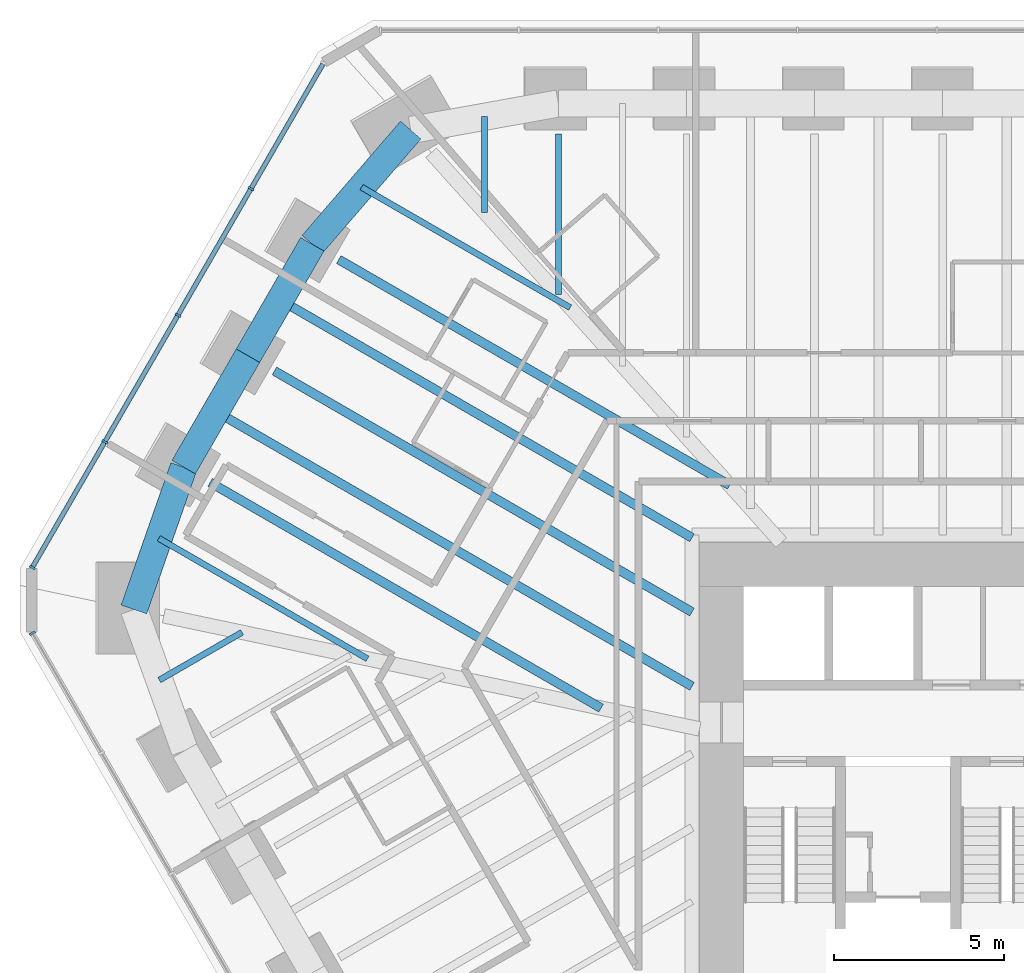
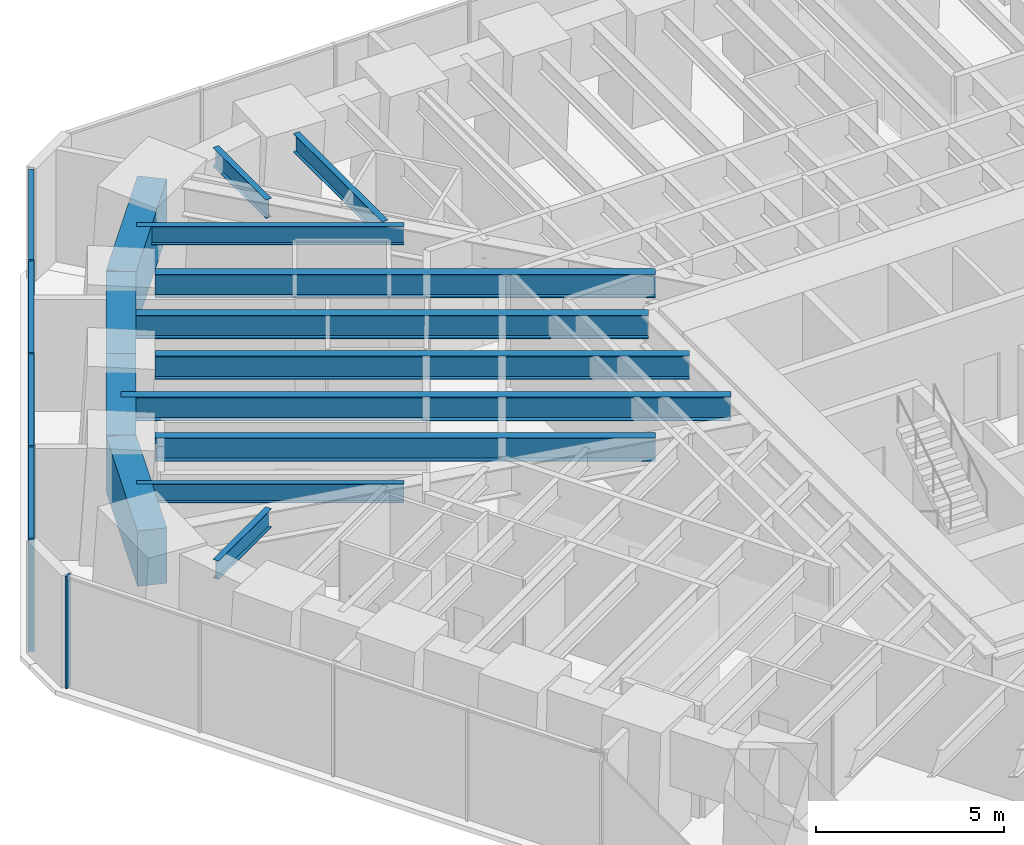
# One storey, part 7 of 17: 14 beams, 9 members, 2 elements without a shape of their own.
"""IFC4 building model written with IfcOpenShell, lengths in metres."""

from ifc_helpers import new_model, si_unit, direction, frame, origin, origin_2d, place, context, subcontext, project, spatial, rectangle, i_section, extrude, material, material_profile, profile_set, type_object, element, aggregate, save


model = new_model("IFC4")

# Units and contexts
model_context = context("Model", 3, precision=1e-05, world=origin(), true_north=direction((0.0, 1.0)))
body_context = subcontext(model_context, "Body", "Model", "MODEL_VIEW")
ifc_project = project(units=[si_unit("LENGTHUNIT", "METRE"), si_unit("AREAUNIT", "SQUARE_METRE"), si_unit("VOLUMEUNIT", "CUBIC_METRE"), si_unit("PLANEANGLEUNIT", "RADIAN"), si_unit("MASSUNIT", "GRAM", prefix="KILO")], contexts=[model_context])

# Site, building, storey
site_placement = place(None, origin())
site = spatial("IfcSite", under=ifc_project, at=site_placement, CompositionType="ELEMENT")
building_placement = place(site_placement, origin())
building = spatial("IfcBuilding", under=site, at=building_placement, Name="Sandreach Pilgrim Tower", CompositionType="ELEMENT")
storey_placement = place(building_placement, frame((0.0, 0.0, 165.199951171875)))
storey = spatial("IfcBuildingStorey", under=building, at=storey_placement, Name="L41", CompositionType="ELEMENT", Elevation=165.199951171875)

# Curtain wall, member
ifc_material_1 = material(Name="Aluminium framed curtain wall", Category="aluminium")
curtain_wall_type = type_object("IfcCurtainWallType", Name="Hotel tower curtain wall", PredefinedType="NOTDEFINED", material=ifc_material_1)
curtain_wall_1_placement = place(storey_placement, origin())
curtain_wall_1 = element("IfcCurtainWall", 1, at=curtain_wall_1_placement, inside=storey, type_object=curtain_wall_type, Name="CW-2 L41 SW", PredefinedType="NOTDEFINED")
ifc_material_2 = material(Name="Aluminium extrusion", Category="aluminium")
ifc_material_profile_1 = material_profile(ifc_material_2, rectangle(XDim=0.06494140625, YDim=0.179931640625, at=origin_2d()), Name="CW-2M 65X180")
ifc_profile_set_1 = profile_set([ifc_material_profile_1], Name="Aluminium extrusion")
member_type_1 = type_object("IfcMemberType", Name="CW-2 mullion", PredefinedType="MULLION", material=ifc_profile_set_1)
member_1_placement = place(storey_placement, frame((-28.70458984375, 4.730224609375, 0.0), z_axis=(0.0, 0.0, 1.0), x_axis=(-0.5, 0.866025403784, 0.0)))
member_1 = element("IfcMember", 2, at=member_1_placement, type_object=member_type_1, Name="CW-2 mullion 10", PredefinedType="MULLION", context=body_context, shape_type="SweptSolid", body=[
    extrude(rectangle(XDim=0.06494140625, YDim=0.179931640625, at=origin_2d()), origin(), (0.0, 0.0, 1.0), 3.64013671875),
])
aggregate(curtain_wall_1, [member_1])

# Curtain wall, members
curtain_wall_2_placement = place(storey_placement, origin())
curtain_wall_2 = element("IfcCurtainWall", 3, at=curtain_wall_2_placement, inside=storey, type_object=curtain_wall_type, Name="CW-2 L41 NW", PredefinedType="NOTDEFINED")
member_2_placement = place(storey_placement, frame((-28.70458984375, 6.66650390625, 0.0), z_axis=(0.0, 0.0, 1.0), x_axis=(0.5, 0.866025403784, 0.0)))
member_2 = element("IfcMember", 4, at=member_2_placement, type_object=member_type_1, Name="CW-2 mullion 1", PredefinedType="MULLION", context=body_context, shape_type="SweptSolid", body=[
    extrude(rectangle(XDim=0.06494140625, YDim=0.179931640625, at=origin_2d()), origin(), (0.0, 0.0, 1.0), 3.64013671875),
])
member_3_placement = place(storey_placement, frame((-26.568115234375, 10.3671875, 0.0), z_axis=(0.0, 0.0, 1.0), x_axis=(0.5, 0.866025403784, 0.0)))
member_3 = element("IfcMember", 5, at=member_3_placement, type_object=member_type_1, Name="CW-2 mullion 2", PredefinedType="MULLION", context=body_context, shape_type="SweptSolid", body=[
    extrude(rectangle(XDim=0.06494140625, YDim=0.179931640625, at=origin_2d()), origin(), (0.0, 0.0, 1.0), 3.64013671875),
])
member_4_placement = place(storey_placement, frame((-24.415283203125, 14.09619140625, 0.0), z_axis=(0.0, 0.0, 1.0), x_axis=(0.5, 0.866025403784, 0.0)))
member_4 = element("IfcMember", 6, at=member_4_placement, type_object=member_type_1, Name="CW-2 mullion 3", PredefinedType="MULLION", context=body_context, shape_type="SweptSolid", body=[
    extrude(rectangle(XDim=0.06494140625, YDim=0.179931640625, at=origin_2d()), origin(), (0.0, 0.0, 1.0), 3.64013671875),
])
member_5_placement = place(storey_placement, frame((-22.262451171875, 17.824951171875, 0.0), z_axis=(0.0, 0.0, 1.0), x_axis=(0.5, 0.866025403784, 0.0)))
member_5 = element("IfcMember", 7, at=member_5_placement, type_object=member_type_1, Name="CW-2 mullion 4", PredefinedType="MULLION", context=body_context, shape_type="SweptSolid", body=[
    extrude(rectangle(XDim=0.06494140625, YDim=0.179931640625, at=origin_2d()), origin(), (0.0, 0.0, 1.0), 3.64013671875),
])
ifc_material_3 = material(Name="Aluminium extrusion", Category="aluminium")
ifc_material_profile_2 = material_profile(ifc_material_3, rectangle(XDim=0.139892578125, YDim=0.070068359375, at=origin_2d()), Name="CW-2T 140X70")
ifc_profile_set_2 = profile_set([ifc_material_profile_2], Name="Aluminium extrusion")
member_type_2 = type_object("IfcMemberType", Name="CW-2 transom", PredefinedType="USERDEFINED", material=ifc_profile_set_2)
member_6_placement = place(storey_placement, frame((-28.6884765625, 6.69482421875, 3.60498046875), z_axis=(0.500038835258, 0.866002981077, 0.0), x_axis=(-0.866002981077, 0.500038835258, 0.0)))
member_6 = element("IfcMember", 8, at=member_6_placement, type_object=member_type_2, Name="CW-2 head transom 1", ObjectType="TRANSOM", PredefinedType="USERDEFINED", context=body_context, shape_type="SweptSolid", body=[
    extrude(rectangle(XDim=0.139892578125, YDim=0.070068359375, at=origin_2d()), origin(), (0.0, 0.0, 1.0), 4.208251953125),
])
member_7_placement = place(storey_placement, frame((-26.5517578125, 10.3955078125, 3.60498046875), z_axis=(0.500021471012, 0.866013007135, 0.0), x_axis=(-0.866013007135, 0.500021471012, 0.0)))
member_7 = element("IfcMember", 9, at=member_7_placement, type_object=member_type_2, Name="CW-2 head transom 2", ObjectType="TRANSOM", PredefinedType="USERDEFINED", context=body_context, shape_type="SweptSolid", body=[
    extrude(rectangle(XDim=0.139892578125, YDim=0.070068359375, at=origin_2d()), origin(), (0.0, 0.0, 1.0), 4.240478515625),
])
member_8_placement = place(storey_placement, frame((-24.39892578125, 14.124267578125, 3.60498046875), z_axis=(0.499996541496, 0.866027400544, 0.0), x_axis=(-0.866027400544, 0.499996541496, 0.0)))
member_8 = element("IfcMember", 10, at=member_8_placement, type_object=member_type_2, Name="CW-2 head transom 3", ObjectType="TRANSOM", PredefinedType="USERDEFINED", context=body_context, shape_type="SweptSolid", body=[
    extrude(rectangle(XDim=0.139892578125, YDim=0.070068359375, at=origin_2d()), origin(), (0.0, 0.0, 1.0), 4.24072265625),
])
member_9_placement = place(storey_placement, frame((-22.24609375, 17.85302734375, 3.60498046875), z_axis=(0.49997020258, 0.86604260665, 0.0), x_axis=(-0.86604260665, 0.49997020258, 0.0)))
member_9 = element("IfcMember", 11, at=member_9_placement, type_object=member_type_2, Name="CW-2 head transom 4", ObjectType="TRANSOM", PredefinedType="USERDEFINED", context=body_context, shape_type="SweptSolid", body=[
    extrude(rectangle(XDim=0.139892578125, YDim=0.070068359375, at=origin_2d()), origin(), (0.0, 0.0, 1.0), 4.208251953125),
])
aggregate(curtain_wall_2, [member_2, member_3, member_4, member_5, member_6, member_7, member_8, member_9])

# Beams
ifc_material_4 = material(Name="Steel ASTM A992 Grade 50", Category="steel")
ifc_material_profile_3 = material_profile(ifc_material_4, i_section(OverallWidth=0.1787109375, OverallDepth=0.60205078125, WebThickness=0.010986328125, FlangeThickness=0.014892578125, at=origin_2d()), Name="W24X62")
ifc_profile_set_3 = profile_set([ifc_material_profile_3], Name="Steel ASTM A992 Grade 50")
beam_type_1 = type_object("IfcBeamType", Name="Floor beam W24X62", PredefinedType="BEAM", material=ifc_profile_set_3)
beam_1_placement = place(storey_placement, frame((-13.206298828125, 19.435302734375, 3.339111328125), z_axis=(0.0, -1.0, 0.0), x_axis=(1.0, 0.0, 0.0)))
element("IfcBeam", 12, at=beam_1_placement, inside=storey, type_object=beam_type_1, Name="BM L41 F01", PredefinedType="BEAM", context=body_context, shape_type="SweptSolid", body=[
    extrude(i_section(OverallWidth=0.1787109375, OverallDepth=0.60205078125, WebThickness=0.010986328125, FlangeThickness=0.014892578125, at=origin_2d()), origin(), (0.0, 0.0, 1.0), 4.72802734375),
])
beam_2_placement = place(storey_placement, frame((-24.962646484375, 3.348876953125, 3.339111328125), z_axis=(0.866029550753, 0.49999281717, 0.0), x_axis=(-0.49999281717, 0.866029550753, 0.0)))
element("IfcBeam", 13, at=beam_2_placement, inside=storey, type_object=beam_type_1, Name="BM L41 FM34", PredefinedType="BEAM", context=body_context, shape_type="SweptSolid", body=[
    extrude(i_section(OverallWidth=0.1787109375, OverallDepth=0.60205078125, WebThickness=0.010986328125, FlangeThickness=0.014892578125, at=origin_2d()), origin(), (0.0, 0.0, 1.0), 2.81396484375),
])
beam_3_placement = place(storey_placement, frame((-24.97900390625, 7.525390625, 3.339111328125), z_axis=(0.866022938906, -0.50000426927, 0.0), x_axis=(0.50000426927, 0.866022938906, 0.0)))
element("IfcBeam", 14, at=beam_3_placement, inside=storey, type_object=beam_type_1, Name="BM L41 FM35", PredefinedType="BEAM", context=body_context, shape_type="SweptSolid", body=[
    extrude(i_section(OverallWidth=0.1787109375, OverallDepth=0.60205078125, WebThickness=0.010986328125, FlangeThickness=0.014892578125, at=origin_2d()), origin(), (0.0, 0.0, 1.0), 7.09912109375),
])
beam_4_placement = place(storey_placement, frame((-19.006591796875, 17.86962890625, 3.339111328125), z_axis=(0.866029232979, -0.499993367581, 0.0), x_axis=(0.499993367581, 0.866029232979, 0.0)))
element("IfcBeam", 15, at=beam_4_placement, inside=storey, type_object=beam_type_1, Name="BM L41 FM38", PredefinedType="BEAM", context=body_context, shape_type="SweptSolid", body=[
    extrude(i_section(OverallWidth=0.1787109375, OverallDepth=0.60205078125, WebThickness=0.010986328125, FlangeThickness=0.014892578125, at=origin_2d()), origin(), (0.0, 0.0, 1.0), 7.0986328125),
])
beam_5_placement = place(storey_placement, frame((-15.381591796875, 19.94384765625, 3.339111328125), z_axis=(0.0, -1.0, 0.0), x_axis=(1.0, 0.0, 0.0)))
element("IfcBeam", 16, at=beam_5_placement, inside=storey, type_object=beam_type_1, Name="BM L41 FM39", PredefinedType="BEAM", context=body_context, shape_type="SweptSolid", body=[
    extrude(i_section(OverallWidth=0.1787109375, OverallDepth=0.60205078125, WebThickness=0.010986328125, FlangeThickness=0.014892578125, at=origin_2d()), origin(), (0.0, 0.0, 1.0), 2.81396484375),
])
ifc_material_5 = material(Name="Steel ASTM A992 Grade 50", Category="steel")
ifc_material_profile_4 = material_profile(ifc_material_5, i_section(OverallWidth=0.2666015625, OverallDepth=0.761962890625, WebThickness=0.014404296875, FlangeThickness=0.021484375, at=origin_2d()), Name="W30X116")
ifc_profile_set_4 = profile_set([ifc_material_profile_4], Name="Steel ASTM A992 Grade 50")
beam_type_2 = type_object("IfcBeamType", Name="Floor beam W30X116", PredefinedType="BEAM", material=ifc_profile_set_4)
beam_6_placement = place(storey_placement, frame((-23.467041015625, 9.172119140625, 3.259033203125), z_axis=(0.866022320763, -0.500005339912, 0.0), x_axis=(0.500005339912, 0.866022320763, 0.0)))
element("IfcBeam", 17, at=beam_6_placement, inside=storey, type_object=beam_type_2, Name="BM L41 F36", PredefinedType="BEAM", context=body_context, shape_type="SweptSolid", body=[
    extrude(i_section(OverallWidth=0.2666015625, OverallDepth=0.761962890625, WebThickness=0.014404296875, FlangeThickness=0.021484375, at=origin_2d()), origin(), (0.0, 0.0, 1.0), 13.297607421875),
])
beam_7_placement = place(storey_placement, frame((-21.57177734375, 12.45458984375, 3.259033203125), z_axis=(0.866024708283, -0.500001204641, 0.0), x_axis=(0.500001204641, 0.866024708283, 0.0)))
element("IfcBeam", 18, at=beam_7_placement, inside=storey, type_object=beam_type_2, Name="BM L41 F37", PredefinedType="BEAM", context=body_context, shape_type="SweptSolid", body=[
    extrude(i_section(OverallWidth=0.2666015625, OverallDepth=0.761962890625, WebThickness=0.014404296875, FlangeThickness=0.021484375, at=origin_2d()), origin(), (0.0, 0.0, 1.0), 14.20263671875),
])
beam_8_placement = place(storey_placement, frame((-19.6767578125, 15.737060546875, 3.259033203125), z_axis=(0.866022320763, -0.500005339912, 0.0), x_axis=(0.500005339912, 0.866022320763, 0.0)))
element("IfcBeam", 19, at=beam_8_placement, inside=storey, type_object=beam_type_2, Name="BM L41 F38", PredefinedType="BEAM", context=body_context, shape_type="SweptSolid", body=[
    extrude(i_section(OverallWidth=0.2666015625, OverallDepth=0.761962890625, WebThickness=0.014404296875, FlangeThickness=0.021484375, at=origin_2d()), origin(), (0.0, 0.0, 1.0), 13.297607421875),
])
beam_9_placement = place(storey_placement, frame((-21.40380859375, 14.545654296875, 3.259033203125), z_axis=(0.866030607649, -0.499990986534, 0.0), x_axis=(0.499990986534, 0.866030607649, 0.0)))
element("IfcBeam", 20, at=beam_9_placement, inside=storey, type_object=beam_type_2, Name="BM L41 FM37", PredefinedType="BEAM", context=body_context, shape_type="SweptSolid", body=[
    extrude(i_section(OverallWidth=0.2666015625, OverallDepth=0.761962890625, WebThickness=0.014404296875, FlangeThickness=0.021484375, at=origin_2d()), origin(), (0.0, 0.0, 1.0), 14.008544921875),
])
ifc_material_6 = material(Name="Steel ASTM A992 Grade 50", Category="steel")
ifc_material_profile_5 = material_profile(ifc_material_6, i_section(OverallWidth=0.2666015625, OverallDepth=0.77978515625, WebThickness=0.0166015625, FlangeThickness=0.030029296875, at=origin_2d()), Name="W30X148")
ifc_profile_set_5 = profile_set([ifc_material_profile_5], Name="Steel ASTM A992 Grade 50")
beam_type_3 = type_object("IfcBeamType", Name="Floor beam W30X148", PredefinedType="BEAM", material=ifc_profile_set_5)
beam_10_placement = place(storey_placement, frame((-23.298828125, 11.26318359375, 3.250244140625), z_axis=(0.866032468316, -0.499987763673, 0.0), x_axis=(0.499987763673, 0.866032468316, 0.0)))
element("IfcBeam", 21, at=beam_10_placement, inside=storey, type_object=beam_type_3, Name="BM L41 FM36", PredefinedType="BEAM", context=body_context, shape_type="SweptSolid", body=[
    extrude(i_section(OverallWidth=0.2666015625, OverallDepth=0.77978515625, WebThickness=0.0166015625, FlangeThickness=0.030029296875, at=origin_2d()), origin(), (0.0, 0.0, 1.0), 16.19677734375),
])
ifc_material_7 = material(Name="Concrete 10000 psi", Category="concrete")
ifc_material_profile_6 = material_profile(ifc_material_7, rectangle(XDim=0.800048828125, YDim=1.800048828125, at=origin_2d()), Name="RC800X1800")
ifc_profile_set_6 = profile_set([ifc_material_profile_6], Name="Concrete 10000 psi")
beam_type_4 = type_object("IfcBeamType", Name="Spandrel beam RC800X1800", PredefinedType="SPANDREL", material=ifc_profile_set_6)
beam_11_placement = place(storey_placement, frame((-25.71142578125, 5.428466796875, 2.739990234375), z_axis=(0.329814237197, 0.94404585108, 0.0), x_axis=(-0.94404585108, 0.329814237197, 0.0)))
element("IfcBeam", 22, at=beam_11_placement, inside=storey, type_object=beam_type_4, Name="BM L41 SP35", PredefinedType="SPANDREL", context=body_context, shape_type="SweptSolid", body=[
    extrude(rectangle(XDim=0.800048828125, YDim=1.800048828125, at=origin_2d()), origin(), (0.0, 0.0, 1.0), 4.442138671875),
])
for number, where, z_axis, x_axis, name in (
    (23, (-24.246337890625, 9.6220703125, 2.739990234375), (0.49997708301, 0.86603863451, 0.0), (-0.86603863451, 0.49997708301, 0.0), "BM L41 SP36"),
    (24, (-22.351318359375, 12.904541015625, 2.739990234375), (0.500025392229, 0.866010743078, 0.0), (-0.866010743078, 0.500025392229, 0.0), "BM L41 SP37"),
):
    element("IfcBeam", number, at=place(storey_placement, frame(where, z_axis=z_axis, x_axis=x_axis)), inside=storey, type_object=beam_type_4, Name=name, PredefinedType="SPANDREL", context=body_context, shape_type="SweptSolid", body=[
        extrude(rectangle(XDim=0.800048828125, YDim=1.800048828125, at=origin_2d()), origin(), (0.0, 0.0, 1.0), 3.790283203125),
    ])
beam_12_placement = place(storey_placement, frame((-20.4560546875, 16.18701171875, 2.739990234375), z_axis=(0.652667771806, 0.75764423026, 0.0), x_axis=(-0.75764423026, 0.652667771806, 0.0)))
element("IfcBeam", 25, at=beam_12_placement, inside=storey, type_object=beam_type_4, Name="BM L41 SP38", PredefinedType="SPANDREL", context=body_context, shape_type="SweptSolid", body=[
    extrude(rectangle(XDim=0.800048828125, YDim=1.800048828125, at=origin_2d()), origin(), (0.0, 0.0, 1.0), 4.442138671875),
])

save(model, "model.ifc")
